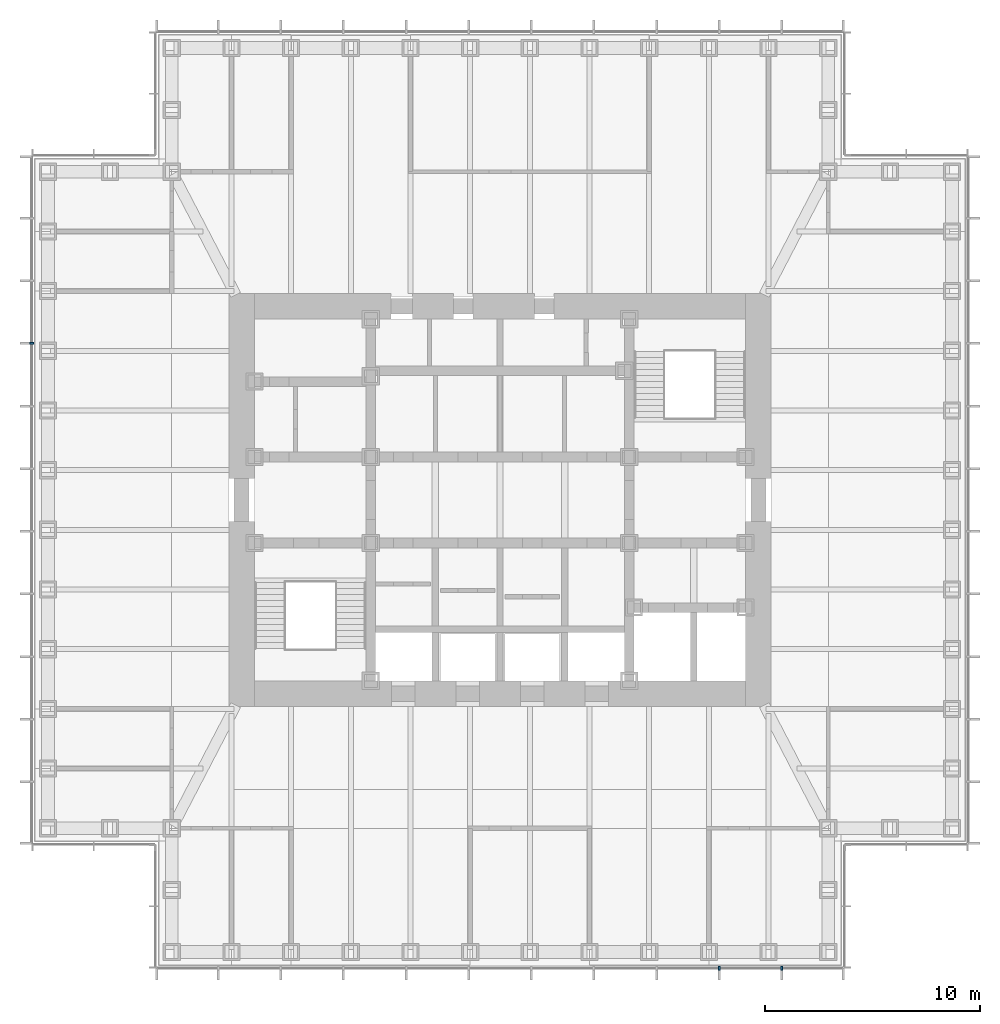
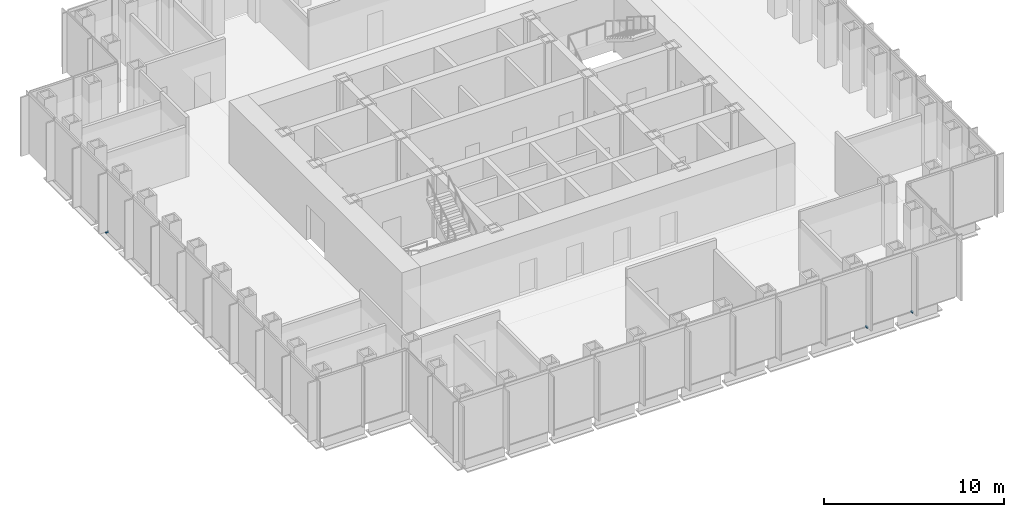
# One storey, part 12 of 16: 3 discrete accessories.
"""IFC4 building model written with IfcOpenShell, lengths in metres."""

from ifc_helpers import new_model, si_unit, direction, frame, origin, origin_2d, place, context, subcontext, project, spatial, rectangle, extrude, element, save


model = new_model("IFC4")

# Units and contexts
model_context = context("Model", 3, precision=1e-05, world=origin(), true_north=direction((0.0, 1.0)))
body_context = subcontext(model_context, "Body", "Model", "MODEL_VIEW")
ifc_project = project(units=[si_unit("LENGTHUNIT", "METRE"), si_unit("AREAUNIT", "SQUARE_METRE"), si_unit("VOLUMEUNIT", "CUBIC_METRE"), si_unit("PLANEANGLEUNIT", "RADIAN"), si_unit("MASSUNIT", "GRAM", prefix="KILO")], contexts=[model_context])

# Site, building, storey
site_placement = place(None, origin())
site = spatial("IfcSite", under=ifc_project, at=site_placement, CompositionType="ELEMENT")
building_placement = place(site_placement, origin())
building = spatial("IfcBuilding", under=site, at=building_placement, Name="Daluyong Arena Tower", CompositionType="ELEMENT")
storey_placement = place(building_placement, frame((0.0, 0.0, 262.89990234375)))
storey = spatial("IfcBuildingStorey", under=building, at=storey_placement, Name="L59", CompositionType="ELEMENT", Elevation=262.89990234375)

# Discrete accessories
for number, where, z_axis, x_axis, name in (
    (1, (66.181884765625, 58.25, -0.099853515625), (0.0, 0.0, 1.0), (1.0, 0.0, 0.0), "curtain wall L59 S anchor bracket 10"),
    (2, (69.0908203125, 58.25, -0.099853515625), (0.0, 0.0, 1.0), (1.0, 0.0, 0.0), "curtain wall L59 S anchor bracket 11"),
    (3, (34.25, 87.272705078125, -0.099853515625), (0.0, 0.0, 1.0), (0.0, -1.0, 0.0), "curtain wall L59 W anchor bracket 4"),
):
    element("IfcDiscreteAccessory", number, at=place(storey_placement, frame(where, z_axis=z_axis, x_axis=x_axis)), inside=storey, Name=name, PredefinedType="BRACKET", context=body_context, shape_type="SweptSolid", body=[
        extrude(rectangle(XDim=0.090087890625, YDim=0.199951171875, at=origin_2d()), origin(), (0.0, 0.0, 1.0), 0.10009765625),
    ])

save(model, "model.ifc")
